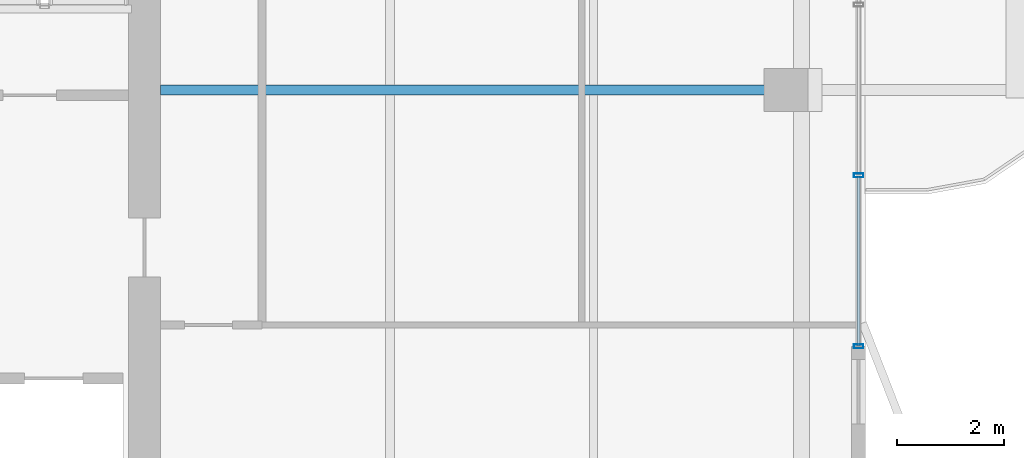
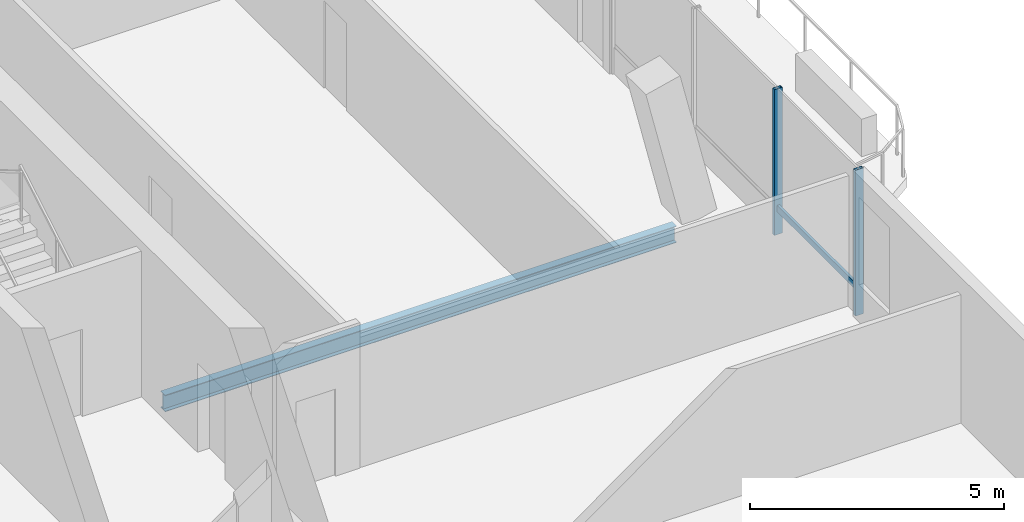
# One storey, part 8 of 19: 3 members, 1 beam, 1 element without a shape of its own.
"""IFC4 building model written with IfcOpenShell, lengths in metres."""

from ifc_helpers import new_model, si_unit, direction, frame, origin, origin_2d, place, context, subcontext, project, spatial, hollow_rectangle, i_section, extrude, material, layer, layer_set, material_profile, profile_set, type_object, element, aggregate, save


model = new_model("IFC4")

# Units and contexts
model_context = context("Model", 3, precision=1e-05, world=origin(), true_north=direction((0.0, 1.0)))
body_context = subcontext(model_context, "Body", "Model", "MODEL_VIEW")
ifc_project = project(units=[si_unit("LENGTHUNIT", "METRE"), si_unit("AREAUNIT", "SQUARE_METRE"), si_unit("VOLUMEUNIT", "CUBIC_METRE"), si_unit("PLANEANGLEUNIT", "RADIAN"), si_unit("MASSUNIT", "GRAM", prefix="KILO")], contexts=[model_context])

# Site, building, storey
site_placement = place(None, origin())
site = spatial("IfcSite", under=ifc_project, at=site_placement, CompositionType="ELEMENT")
building_placement = place(site_placement, origin())
building = spatial("IfcBuilding", under=site, at=building_placement, Name="Belovzor Exchange Tower", CompositionType="ELEMENT")
storey_placement = place(building_placement, frame((0.0, 0.0, 340.5)))
storey = spatial("IfcBuildingStorey", under=building, at=storey_placement, Name="L85", CompositionType="ELEMENT", Elevation=340.5)

# Curtain wall, members
ifc_material_1 = material(Name="Anodised Aluminium Framing", Category="aluminium")
ifc_layer = layer(ifc_material_1, 0.179931640625)
ifc_layer_set = layer_set([ifc_layer], Name="Anodised Aluminium Framing")
curtain_wall_type = type_object("IfcCurtainWallType", Name="Recessed Loggia Low-Iron Triple-Glazed Curtain Wall", PredefinedType="NOTDEFINED", material=ifc_layer_set)
curtain_wall_placement = place(storey_placement, origin())
curtain_wall = element("IfcCurtainWall", 1, at=curtain_wall_placement, inside=storey, type_object=curtain_wall_type, Name="CW3 Recessed Loggia Low-Iron Triple-Glazed Curtain Wall L85", PredefinedType="NOTDEFINED")
ifc_material_2 = material(Name="Steel S355", Category="steel")
ifc_material_profile_1 = material_profile(ifc_material_2, hollow_rectangle(XDim=0.074951171875, YDim=0.179931640625, WallThickness=0.0048828125, at=origin_2d()))
ifc_profile_set_1 = profile_set([ifc_material_profile_1], Name="Steel S355")
member_type_1 = type_object("IfcMemberType", Name="Thermally Broken Curtain Wall Mullion 180x75", PredefinedType="MULLION", material=ifc_profile_set_1)
member_1_placement = place(storey_placement, frame((50.8701171875, 27.199951171875, 0.0), z_axis=(0.0, 0.0, 1.0), x_axis=(0.0, -1.0, 0.0)))
member_1 = element("IfcMember", 2, at=member_1_placement, type_object=member_type_1, Name="CW-M180 Curtain Wall Mullion 3", PredefinedType="MULLION", context=body_context, shape_type="SweptSolid", body=[
    extrude(hollow_rectangle(XDim=0.074951171875, YDim=0.179931640625, WallThickness=0.0048828125, at=origin_2d()), origin(), (0.0, 0.0, 1.0), 3.510009765625),
])
member_2_placement = place(storey_placement, frame((50.8701171875, 24.0, 0.0), z_axis=(0.0, 0.0, 1.0), x_axis=(0.0, -1.0, 0.0)))
member_2 = element("IfcMember", 3, at=member_2_placement, type_object=member_type_1, Name="CW-M180 Curtain Wall Mullion 4", PredefinedType="MULLION", context=body_context, shape_type="SweptSolid", body=[
    extrude(hollow_rectangle(XDim=0.074951171875, YDim=0.179931640625, WallThickness=0.0048828125, at=origin_2d()), origin(), (0.0, 0.0, 1.0), 3.510009765625),
])
ifc_material_3 = material(Name="Steel S355", Category="steel")
ifc_material_profile_2 = material_profile(ifc_material_3, hollow_rectangle(XDim=0.06005859375, YDim=0.14990234375, WallThickness=0.00390625, at=origin_2d()))
ifc_profile_set_2 = profile_set([ifc_material_profile_2], Name="Steel S355")
member_type_2 = type_object("IfcMemberType", Name="Thermally Broken Curtain Wall Transom 150x60", PredefinedType="USERDEFINED", material=ifc_profile_set_2)
member_3_placement = place(storey_placement, frame((50.8701171875, 27.19189453125, 0.632080078125), z_axis=(0.0, -1.0, 0.0), x_axis=(1.0, 0.0, 0.0)))
member_3 = element("IfcMember", 4, at=member_3_placement, type_object=member_type_2, Name="CW-T150 Curtain Wall Transom 3", ObjectType="TRANSOM", PredefinedType="USERDEFINED", context=body_context, shape_type="SweptSolid", body=[
    extrude(hollow_rectangle(XDim=0.06005859375, YDim=0.14990234375, WallThickness=0.00390625, at=origin_2d()), origin(), (0.0, 0.0, 1.0), 3.183837890625),
])
aggregate(curtain_wall, [member_1, member_2, member_3])

# Beam
ifc_material_4 = material(Name="Steel S355", Category="steel")
ifc_material_profile_3 = material_profile(ifc_material_4, i_section(OverallWidth=0.179931640625, OverallDepth=0.39990234375, WebThickness=0.008544921875, FlangeThickness=0.013427734375, at=origin_2d()))
ifc_profile_set_3 = profile_set([ifc_material_profile_3], Name="Steel S355")
beam_type = type_object("IfcBeamType", Name="Zone 5-6 Radial Composite Floor Beam IPE 400", PredefinedType="BEAM", material=ifc_profile_set_3)
beam_placement = place(storey_placement, frame((37.800048828125, 28.800048828125, -0.43994140625), z_axis=(1.0, 0.0, 0.0), x_axis=(0.0, 1.0, 0.0)))
element("IfcBeam", 5, at=beam_placement, inside=storey, type_object=beam_type, Name="FB-400 Zone 5-6 Radial Composite Floor Beam IPE 400", PredefinedType="BEAM", context=body_context, shape_type="SweptSolid", body=[
    extrude(i_section(OverallWidth=0.179931640625, OverallDepth=0.39990234375, WebThickness=0.008544921875, FlangeThickness=0.013427734375, at=origin_2d()), origin(), (0.0, 0.0, 1.0), 11.64794921875),
])

save(model, "model.ifc")
